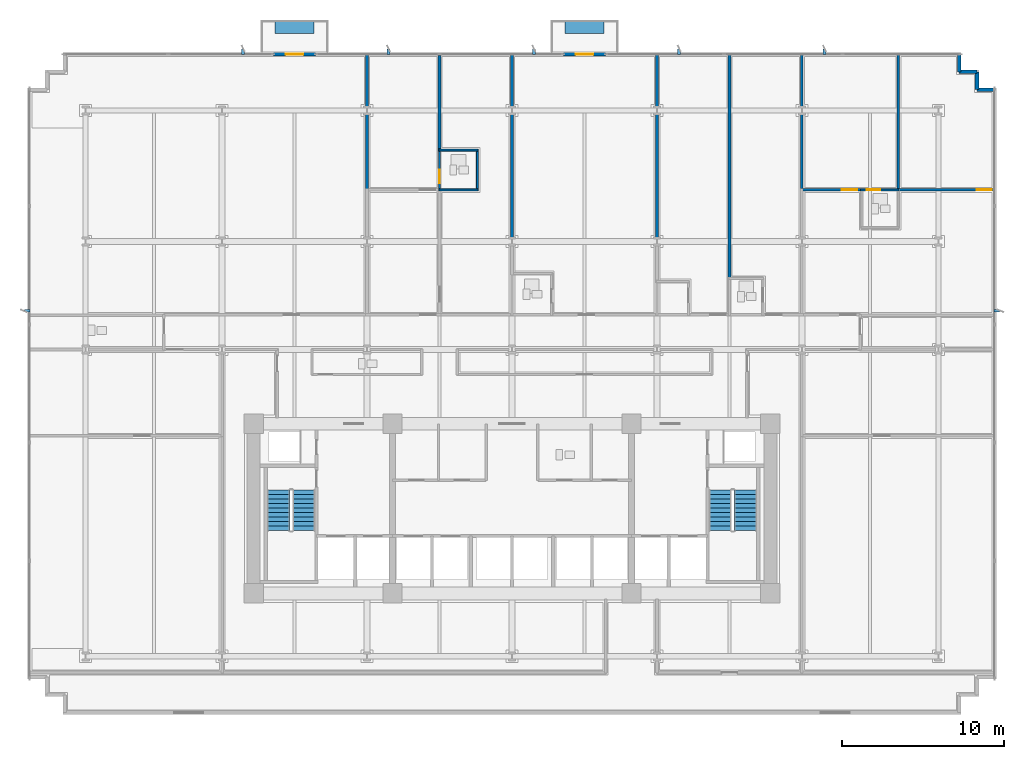
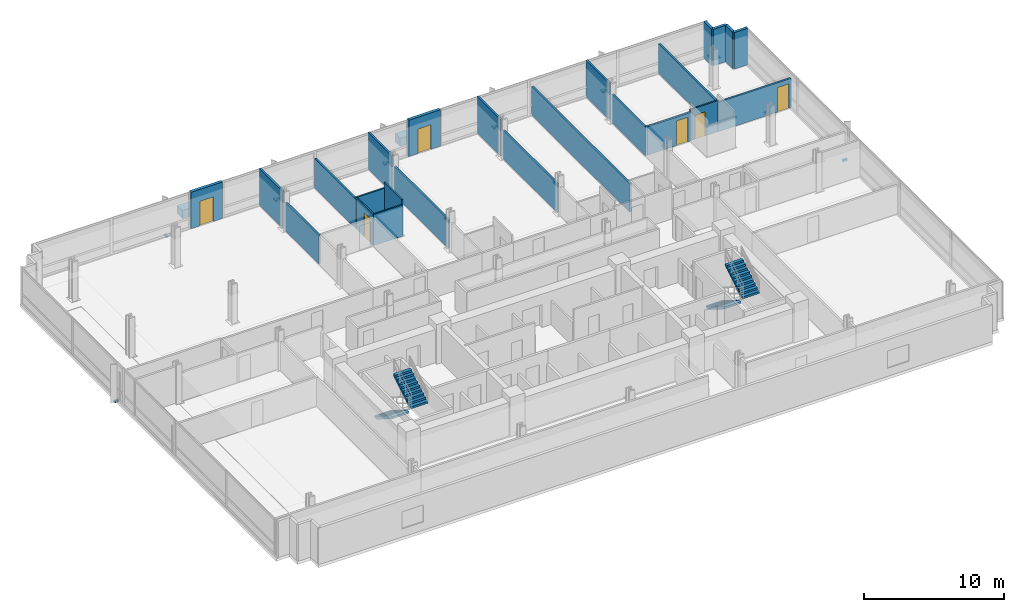
# One storey, part 11 of 17: 24 walls, 9 discrete accessories, 6 doors, 4 stair flights, 6 openings, 2 elements without a shape of their own.
"""IFC4 building model written with IfcOpenShell, lengths in metres."""

from ifc_helpers import new_model, si_unit, direction, frame, frame_2d, origin, origin_2d, place, context, subcontext, project, spatial, polyline, rectangle, outline, extrude, material, layer, layer_set, type_object, element, fill, aggregate, save


model = new_model("IFC4")

# Units and contexts
model_context = context("Model", 3, precision=1e-05, world=origin(), true_north=direction((0.0, 1.0)))
body_context = subcontext(model_context, "Body", "Model", "MODEL_VIEW")
ifc_project = project(units=[si_unit("LENGTHUNIT", "METRE"), si_unit("AREAUNIT", "SQUARE_METRE"), si_unit("VOLUMEUNIT", "CUBIC_METRE"), si_unit("PLANEANGLEUNIT", "RADIAN"), si_unit("MASSUNIT", "GRAM", prefix="KILO")], contexts=[model_context])

# Site, building, storey
site_placement = place(None, origin())
site = spatial("IfcSite", under=ifc_project, at=site_placement, CompositionType="ELEMENT")
building_placement = place(site_placement, origin())
building = spatial("IfcBuilding", under=site, at=building_placement, Name="Solmavex Isthmus Hotel", CompositionType="ELEMENT")
storey_placement = place(building_placement, frame((0.0, 0.0, 47.10009765625)))
storey = spatial("IfcBuildingStorey", under=building, at=storey_placement, Name="L12", CompositionType="ELEMENT", Elevation=47.10009765625)

# Wall, opening, door
ifc_material_1 = material(Name="Precast Concrete C40/50", Category="concrete")
ifc_layer_1 = layer(ifc_material_1, 0.25)
ifc_layer_set_1 = layer_set([ifc_layer_1], Name="Precast Concrete C40/50")
wall_type_1 = type_object("IfcWallType", Name="EW-TWR-250", PredefinedType="STANDARD", material=ifc_layer_set_1)
wall_1_placement = place(storey_placement, frame((-14.763916015625, 20.3798828125, 0.0), z_axis=(0.0, 0.0, 1.0), x_axis=(1.0, 0.0, 0.0)))
wall_1 = element("IfcWall", 1, at=wall_1_placement, inside=storey, type_object=wall_type_1, Name="Exterior Balcony Door Wall L12-2", PredefinedType="STANDARD", context=body_context, shape_type="SweptSolid", body=[
    extrude(rectangle(XDim=2.599853515625, YDim=0.239990234375, at=frame_2d((1.2998046875, 0.0))), origin(), (0.0, 0.0, 1.0), 3.18994140625),
])
opening_1_placement = place(wall_1_placement, frame((0.75, 0.0, 0.0)))
opening_1 = element("IfcOpeningElement", 2, at=opening_1_placement, cuts=wall_1, Name="Opening ED-02", PredefinedType="OPENING", context=body_context, shape_type="SweptSolid", body=[
    extrude(rectangle(XDim=1.10009765625, YDim=2.14990234375, at=frame_2d((0.550048828125, 1.074951171875))), frame((0.0, 0.1298828125, 0.0), z_axis=(0.0, -1.0, 0.0), x_axis=(1.0, 0.0, 0.0)), (0.0, 0.0, 1.0), 0.260009765625),
])
ifc_material_2 = material(Name="Aluminium alloy 6063-T6", Category="aluminium")
door_type_1 = type_object("IfcDoorType", Name="EDR-BALC-1100", OperationType="NOTDEFINED", PredefinedType="DOOR", material=ifc_material_2)
door_1_placement = place(opening_1_placement, origin())
door_1 = element("IfcDoor", 3, at=door_1_placement, inside=storey, type_object=door_type_1, Name="Balcony & Terrace Glazed Door L12-2", OperationType="SINGLE_SWING_RIGHT", OverallHeight=2.14990234375, OverallWidth=1.10009765625, PredefinedType="DOOR", context=body_context, shape_type="SweptSolid", body=[
    extrude(rectangle(XDim=1.10009765625, YDim=2.14990234375, at=frame_2d((0.550048828125, 1.074951171875))), frame((0.0, 0.02490234375, 0.0), z_axis=(0.0, -1.0, 0.0), x_axis=(1.0, 0.0, 0.0)), (0.0, 0.0, 1.0), 0.050048828125),
])
fill(opening_1, door_1)

wall_2_placement = place(storey_placement, frame((3.18798828125, 20.3798828125, 0.0), z_axis=(0.0, 0.0, 1.0), x_axis=(1.0, 0.0, 0.0)))
wall_2 = element("IfcWall", 4, at=wall_2_placement, inside=storey, type_object=wall_type_1, Name="Exterior Balcony Door Wall L12-3", PredefinedType="STANDARD", context=body_context, shape_type="SweptSolid", body=[
    extrude(rectangle(XDim=2.60009765625, YDim=0.239990234375, at=frame_2d((1.300048828125, 0.0))), origin(), (0.0, 0.0, 1.0), 3.18994140625),
])
opening_2_placement = place(wall_2_placement, frame((0.75, 0.0, 0.0)))
opening_2 = element("IfcOpeningElement", 5, at=opening_2_placement, cuts=wall_2, Name="Opening ED-02", PredefinedType="OPENING", context=body_context, shape_type="SweptSolid", body=[
    extrude(rectangle(XDim=1.10009765625, YDim=2.14990234375, at=frame_2d((0.550048828125, 1.074951171875))), frame((0.0, 0.1298828125, 0.0), z_axis=(0.0, -1.0, 0.0), x_axis=(1.0, 0.0, 0.0)), (0.0, 0.0, 1.0), 0.260009765625),
])
door_2_placement = place(opening_2_placement, origin())
door_2 = element("IfcDoor", 6, at=door_2_placement, inside=storey, type_object=door_type_1, Name="Balcony & Terrace Glazed Door L12-3", OperationType="SINGLE_SWING_LEFT", OverallHeight=2.14990234375, OverallWidth=1.10009765625, PredefinedType="DOOR", context=body_context, shape_type="SweptSolid", body=[
    extrude(rectangle(XDim=1.10009765625, YDim=2.14990234375, at=frame_2d((0.550048828125, 1.074951171875))), frame((0.0, 0.02490234375, 0.0), z_axis=(0.0, -1.0, 0.0), x_axis=(1.0, 0.0, 0.0)), (0.0, 0.0, 1.0), 0.050048828125),
])
fill(opening_2, door_2)

# Walls
wall_3_placement = place(storey_placement, frame((27.68994140625, 20.389892578125, 0.0), z_axis=(0.0, 0.0, 1.0), x_axis=(0.0, -1.0, 0.0)))
element("IfcWall", 7, at=wall_3_placement, inside=storey, type_object=wall_type_1, Name="Serrated Corner Facade Panel L12-11", PredefinedType="STANDARD", context=body_context, shape_type="SweptSolid", body=[
    extrude(rectangle(XDim=1.099853515625, YDim=0.219970703125, at=frame_2d((0.5498046875, 0.0))), origin(), (0.0, 0.0, 1.0), 3.18994140625),
])
for number, where, z_axis, x_axis, name in (
    (8, (27.68994140625, 19.2900390625, 0.0), (0.0, 0.0, 1.0), (1.0, 0.0, 0.0), "Serrated Corner Facade Panel L12-12"),
    (9, (28.7900390625, 19.2900390625, 0.0), (0.0, 0.0, 1.0), (0.0, -1.0, 0.0), "Serrated Corner Facade Panel L12-13"),
):
    element("IfcWall", number, at=place(storey_placement, frame(where, z_axis=z_axis, x_axis=x_axis)), inside=storey, type_object=wall_type_1, Name=name, PredefinedType="STANDARD", context=body_context, shape_type="SweptSolid", body=[
        extrude(rectangle(XDim=1.10009765625, YDim=0.219970703125, at=frame_2d((0.550048828125, 0.0))), origin(), (0.0, 0.0, 1.0), 3.18994140625),
    ])
wall_4_placement = place(storey_placement, frame((28.7900390625, 18.18994140625, 0.0), z_axis=(0.0, 0.0, 1.0), x_axis=(1.0, 0.0, 0.0)))
element("IfcWall", 10, at=wall_4_placement, inside=storey, type_object=wall_type_1, Name="Serrated Corner Facade Panel L12-14", PredefinedType="STANDARD", context=body_context, shape_type="SweptSolid", body=[
    extrude(rectangle(XDim=1.099853515625, YDim=0.219970703125, at=frame_2d((0.5498046875, 0.0))), origin(), (0.0, 0.0, 1.0), 3.18994140625),
])
ifc_material_3 = material(Name="Gypsum plasterboard lining", Category="gypsum")
ifc_layer_2 = layer(ifc_material_3, 0.159912109375)
ifc_layer_set_2 = layer_set([ifc_layer_2], Name="Gypsum plasterboard lining")
wall_type_2 = type_object("IfcWallType", Name="IW-COMP-160", PredefinedType="PARTITIONING", material=ifc_layer_set_2)
wall_5_placement = place(storey_placement, frame((-8.97607421875, 16.72509765625, 0.0), z_axis=(0.0, 0.0, 1.0), x_axis=(0.0, -1.0, 0.0)))
element("IfcWall", 11, at=wall_5_placement, inside=storey, type_object=wall_type_2, Name="Interior Partition Wall W-L12-P035", PredefinedType="PARTITIONING", context=body_context, shape_type="SweptSolid", body=[
    extrude(rectangle(XDim=4.819091796875, YDim=0.159912109375, at=frame_2d((2.40966796875, 0.0))), origin(), (0.0, 0.0, 1.0), 2.4794921875),
])
wall_6_placement = place(storey_placement, frame((-8.97607421875, 20.419921875, 0.0), z_axis=(0.0, 0.0, 1.0), x_axis=(0.0, -1.0, 0.0)))
element("IfcWall", 12, at=wall_6_placement, inside=storey, type_object=wall_type_2, Name="Interior Partition Wall W-L12-P036", PredefinedType="PARTITIONING", context=body_context, shape_type="SweptSolid", body=[
    extrude(rectangle(XDim=3.344970703125, YDim=0.159912109375, at=frame_2d((1.67236328125, 0.0))), origin(), (0.0, 0.0, 1.0), 3.18994140625),
])
wall_7_placement = place(storey_placement, frame((-4.488037109375, 20.300048828125, 0.0), z_axis=(0.0, 0.0, 1.0), x_axis=(0.0, -1.0, 0.0)))
element("IfcWall", 13, at=wall_7_placement, inside=storey, type_object=wall_type_2, Name="Interior Partition Wall W-L12-P040", PredefinedType="PARTITIONING", context=body_context, shape_type="SweptSolid", body=[
    extrude(rectangle(XDim=5.944091796875, YDim=0.159912109375, at=frame_2d((2.97216796875, 0.0))), origin(), (0.0, 0.0, 1.0), 2.55322265625),
])
wall_8_placement = place(storey_placement, frame((0.0, 16.72509765625, 0.0), z_axis=(0.0, 0.0, 1.0), x_axis=(0.0, -1.0, 0.0)))
element("IfcWall", 14, at=wall_8_placement, inside=storey, type_object=wall_type_2, Name="Interior Partition Wall W-L12-P046", PredefinedType="PARTITIONING", context=body_context, shape_type="SweptSolid", body=[
    extrude(rectangle(XDim=7.76220703125, YDim=0.159912109375, at=frame_2d((3.881103515625, 0.0))), origin(), (0.0, 0.0, 1.0), 2.4794921875),
])
wall_9_placement = place(storey_placement, frame((0.0, 20.419921875, 0.0), z_axis=(0.0, 0.0, 1.0), x_axis=(0.0, -1.0, 0.0)))
element("IfcWall", 15, at=wall_9_placement, inside=storey, type_object=wall_type_2, Name="Interior Partition Wall W-L12-P047", PredefinedType="PARTITIONING", context=body_context, shape_type="SweptSolid", body=[
    extrude(rectangle(XDim=3.344970703125, YDim=0.159912109375, at=frame_2d((1.67236328125, 0.0))), origin(), (0.0, 0.0, 1.0), 3.18994140625),
])
wall_10_placement = place(storey_placement, frame((8.97607421875, 16.72509765625, 0.0), z_axis=(0.0, 0.0, 1.0), x_axis=(0.0, -1.0, 0.0)))
element("IfcWall", 16, at=wall_10_placement, inside=storey, type_object=wall_type_2, Name="Interior Partition Wall W-L12-P052", PredefinedType="PARTITIONING", context=body_context, shape_type="SweptSolid", body=[
    extrude(rectangle(XDim=7.76220703125, YDim=0.159912109375, at=frame_2d((3.881103515625, 0.0))), origin(), (0.0, 0.0, 1.0), 2.4794921875),
])
wall_11_placement = place(storey_placement, frame((8.97607421875, 20.419921875, 0.0), z_axis=(0.0, 0.0, 1.0), x_axis=(0.0, -1.0, 0.0)))
element("IfcWall", 17, at=wall_11_placement, inside=storey, type_object=wall_type_2, Name="Interior Partition Wall W-L12-P053", PredefinedType="PARTITIONING", context=body_context, shape_type="SweptSolid", body=[
    extrude(rectangle(XDim=3.344970703125, YDim=0.159912109375, at=frame_2d((1.67236328125, 0.0))), origin(), (0.0, 0.0, 1.0), 3.18994140625),
])
wall_12_placement = place(storey_placement, frame((13.464111328125, 20.419921875, 0.0), z_axis=(0.0, 0.0, 1.0), x_axis=(0.0, -1.0, 0.0)))
element("IfcWall", 18, at=wall_12_placement, inside=storey, type_object=wall_type_2, Name="Interior Partition Wall W-L12-P057", PredefinedType="PARTITIONING", context=body_context, shape_type="SweptSolid", body=[
    extrude(rectangle(XDim=14.001953125, YDim=0.159912109375, at=frame_2d((7.0009765625, 0.0))), origin(), (0.0, 0.0, 1.0), 2.4794921875),
])
wall_13_placement = place(storey_placement, frame((17.951904296875, 16.72509765625, 0.0), z_axis=(0.0, 0.0, 1.0), x_axis=(0.0, -1.0, 0.0)))
element("IfcWall", 19, at=wall_13_placement, inside=storey, type_object=wall_type_2, Name="Interior Partition Wall W-L12-P063", PredefinedType="PARTITIONING", context=body_context, shape_type="SweptSolid", body=[
    extrude(rectangle(XDim=4.819091796875, YDim=0.159912109375, at=frame_2d((2.40966796875, 0.0))), origin(), (0.0, 0.0, 1.0), 2.4794921875),
])
wall_14_placement = place(storey_placement, frame((17.951904296875, 20.419921875, 0.0), z_axis=(0.0, 0.0, 1.0), x_axis=(0.0, -1.0, 0.0)))
element("IfcWall", 20, at=wall_14_placement, inside=storey, type_object=wall_type_2, Name="Interior Partition Wall W-L12-P064", PredefinedType="PARTITIONING", context=body_context, shape_type="SweptSolid", body=[
    extrude(rectangle(XDim=3.344970703125, YDim=0.159912109375, at=frame_2d((1.67236328125, 0.0))), origin(), (0.0, 0.0, 1.0), 3.18994140625),
])

# Wall, opening, door
wall_15_placement = place(storey_placement, frame((17.912109375, 11.988037109375, 0.0), z_axis=(0.0, 0.0, 1.0), x_axis=(1.0, 0.0, 0.0)))
wall_15 = element("IfcWall", 21, at=wall_15_placement, inside=storey, type_object=wall_type_2, Name="Interior Partition Wall W-L12-P065", PredefinedType="PARTITIONING", context=body_context, shape_type="SweptSolid", body=[
    extrude(rectangle(XDim=3.7939453125, YDim=0.159912109375, at=frame_2d((1.89697265625, 0.0))), origin(), (0.0, 0.0, 1.0), 2.4794921875),
])
opening_3_placement = place(wall_15_placement, frame((2.513916015625, 0.0, 0.0)))
opening_3 = element("IfcOpeningElement", 22, at=opening_3_placement, cuts=wall_15, Name="Opening ID-C095", PredefinedType="OPENING", context=body_context, shape_type="SweptSolid", body=[
    extrude(rectangle(XDim=0.949951171875, YDim=2.14990234375, at=frame_2d((0.47509765625, 1.074951171875))), frame((0.0, 0.08984375, 0.0), z_axis=(0.0, -1.0, 0.0), x_axis=(1.0, 0.0, 0.0)), (0.0, 0.0, 1.0), 0.179931640625),
])
ifc_material_4 = material(Name="Hardwood timber", Category="wood")
door_type_2 = type_object("IfcDoorType", Name="IDR-FD60-0950", OperationType="NOTDEFINED", PredefinedType="DOOR", material=ifc_material_4)
door_3_placement = place(opening_3_placement, origin())
door_3 = element("IfcDoor", 23, at=door_3_placement, inside=storey, type_object=door_type_2, Name="Corner Diplomatic Suite Bedroom Door L12-13", OperationType="SINGLE_SWING_LEFT", OverallHeight=2.14990234375, OverallWidth=0.949951171875, PredefinedType="DOOR", context=body_context, shape_type="SweptSolid", body=[
    extrude(rectangle(XDim=0.949951171875, YDim=2.14990234375, at=frame_2d((0.47509765625, 1.074951171875))), frame((0.0, 0.02490234375, 0.0), z_axis=(0.0, -1.0, 0.0), x_axis=(1.0, 0.0, 0.0)), (0.0, 0.0, 1.0), 0.050048828125),
])
fill(opening_3, door_3)

wall_16_placement = place(storey_placement, frame((23.8759765625, 11.988037109375, 0.0), z_axis=(0.0, 0.0, 1.0), x_axis=(1.0, 0.0, 0.0)))
wall_16 = element("IfcWall", 24, at=wall_16_placement, inside=storey, type_object=wall_type_2, Name="Interior Partition Wall W-L12-P066", PredefinedType="PARTITIONING", context=body_context, shape_type="SweptSolid", body=[
    extrude(rectangle(XDim=6.0439453125, YDim=0.159912109375, at=frame_2d((3.02197265625, 0.0))), origin(), (0.0, 0.0, 1.0), 2.55322265625),
])
opening_4_placement = place(wall_16_placement, frame((4.884033203125, 0.0, 0.0)))
opening_4 = element("IfcOpeningElement", 25, at=opening_4_placement, cuts=wall_16, Name="Opening ID-C095", PredefinedType="OPENING", context=body_context, shape_type="SweptSolid", body=[
    extrude(rectangle(XDim=0.949951171875, YDim=2.14990234375, at=frame_2d((0.47509765625, 1.074951171875))), frame((0.0, 0.08984375, 0.0), z_axis=(0.0, -1.0, 0.0), x_axis=(1.0, 0.0, 0.0)), (0.0, 0.0, 1.0), 0.179931640625),
])
door_4_placement = place(opening_4_placement, origin())
door_4 = element("IfcDoor", 26, at=door_4_placement, inside=storey, type_object=door_type_2, Name="Corner Diplomatic Suite Sitting Lounge Door L12-14", OperationType="SINGLE_SWING_RIGHT", OverallHeight=2.14990234375, OverallWidth=0.949951171875, PredefinedType="DOOR", context=body_context, shape_type="SweptSolid", body=[
    extrude(rectangle(XDim=0.949951171875, YDim=2.14990234375, at=frame_2d((0.47509765625, 1.074951171875))), frame((0.0, 0.02490234375, 0.0), z_axis=(0.0, -1.0, 0.0), x_axis=(1.0, 0.0, 0.0)), (0.0, 0.0, 1.0), 0.050048828125),
])
fill(opening_4, door_4)

# Wall
wall_17_placement = place(storey_placement, frame((23.916015625, 20.419921875, 0.0), z_axis=(0.0, 0.0, 1.0), x_axis=(0.0, -1.0, 0.0)))
element("IfcWall", 27, at=wall_17_placement, inside=storey, type_object=wall_type_2, Name="Interior Partition Wall W-L12-P071", PredefinedType="PARTITIONING", context=body_context, shape_type="SweptSolid", body=[
    extrude(rectangle(XDim=8.471923828125, YDim=0.159912109375, at=frame_2d((4.23583984375, 0.0))), origin(), (0.0, 0.0, 1.0), 2.55322265625),
])

# Wall, opening, door
ifc_layer_3 = layer(ifc_material_3, 0.1201171875)
ifc_layer_set_3 = layer_set([ifc_layer_3], Name="Gypsum plasterboard lining")
wall_type_3 = type_object("IfcWallType", Name="IW-PART-120", PredefinedType="PARTITIONING", material=ifc_layer_set_3)
wall_18_placement = place(storey_placement, frame((-4.488037109375, 14.52001953125, 0.0), z_axis=(0.0, 0.0, 1.0), x_axis=(0.0, -1.0, 0.0)))
wall_18 = element("IfcWall", 28, at=wall_18_placement, inside=storey, type_object=wall_type_3, Name="Interior Partition Wall W-L12-P041", PredefinedType="PARTITIONING", context=body_context, shape_type="SweptSolid", body=[
    extrude(rectangle(XDim=2.572021484375, YDim=0.1201171875, at=frame_2d((1.2861328125, 0.0))), origin(), (0.0, 0.0, 1.0), 2.718017578125),
])
opening_5_placement = place(wall_18_placement, frame((1.27978515625, 0.0, 0.0)))
opening_5 = element("IfcOpeningElement", 29, at=opening_5_placement, cuts=wall_18, Name="Opening ID-U085", PredefinedType="OPENING", context=body_context, shape_type="SweptSolid", body=[
    extrude(rectangle(XDim=0.85009765625, YDim=2.10009765625, at=frame_2d((0.425048828125, 1.050048828125))), frame((0.0, 0.070068359375, 0.0), z_axis=(0.0, -1.0, 0.0), x_axis=(1.0, 0.0, 0.0)), (0.0, 0.0, 1.0), 0.14013671875),
])
door_type_3 = type_object("IfcDoorType", Name="IDR-UNR-0850", OperationType="NOTDEFINED", PredefinedType="DOOR", material=ifc_material_4)
door_5_placement = place(opening_5_placement, origin())
door_5 = element("IfcDoor", 30, at=door_5_placement, inside=storey, type_object=door_type_3, Name="En-suite Bathroom Door L12-05", OperationType="SINGLE_SWING_LEFT", OverallHeight=2.10009765625, OverallWidth=0.85009765625, PredefinedType="DOOR", context=body_context, shape_type="SweptSolid", body=[
    extrude(rectangle(XDim=0.85009765625, YDim=2.10009765625, at=frame_2d((0.425048828125, 1.050048828125))), frame((0.0, 0.02490234375, 0.0), z_axis=(0.0, -1.0, 0.0), x_axis=(1.0, 0.0, 0.0)), (0.0, 0.0, 1.0), 0.050048828125),
])
fill(opening_5, door_5)

# Walls
wall_19_placement = place(storey_placement, frame((-4.528076171875, 11.988037109375, 0.0), z_axis=(0.0, 0.0, 1.0), x_axis=(1.0, 0.0, 0.0)))
element("IfcWall", 31, at=wall_19_placement, inside=storey, type_object=wall_type_3, Name="Interior Partition Wall W-L12-P042", PredefinedType="PARTITIONING", context=body_context, shape_type="SweptSolid", body=[
    extrude(rectangle(XDim=2.43017578125, YDim=0.1201171875, at=frame_2d((1.215087890625, 0.0))), origin(), (0.0, 0.0, 1.0), 2.718017578125),
])
wall_20_placement = place(storey_placement, frame((-2.137939453125, 11.947998046875, 0.0), z_axis=(0.0, 0.0, 1.0), x_axis=(0.0, 1.0, 0.0)))
element("IfcWall", 32, at=wall_20_placement, inside=storey, type_object=wall_type_3, Name="Interior Partition Wall W-L12-P043", PredefinedType="PARTITIONING", context=body_context, shape_type="SweptSolid", body=[
    extrude(rectangle(XDim=2.530029296875, YDim=0.1201171875, at=frame_2d((1.26513671875, 0.0))), origin(), (0.0, 0.0, 1.0), 3.18994140625),
])
wall_21_placement = place(storey_placement, frame((-2.097900390625, 14.43798828125, 0.0), z_axis=(0.0, 0.0, 1.0), x_axis=(-1.0, 0.0, 0.0)))
element("IfcWall", 33, at=wall_21_placement, inside=storey, type_object=wall_type_3, Name="Interior Partition Wall W-L12-P044", PredefinedType="PARTITIONING", context=body_context, shape_type="SweptSolid", body=[
    extrude(rectangle(XDim=2.43017578125, YDim=0.1201171875, at=frame_2d((1.215087890625, 0.0))), origin(), (0.0, 0.0, 1.0), 2.718017578125),
])

# Wall, opening, door
wall_22_placement = place(storey_placement, frame((23.9560546875, 11.988037109375, 0.0), z_axis=(0.0, 0.0, 1.0), x_axis=(-1.0, 0.0, 0.0)))
wall_22 = element("IfcWall", 34, at=wall_22_placement, inside=storey, type_object=wall_type_3, Name="Interior Partition Wall W-L12-P072", PredefinedType="PARTITIONING", context=body_context, shape_type="SweptSolid", body=[
    extrude(rectangle(XDim=2.3720703125, YDim=0.1201171875, at=frame_2d((1.18603515625, 0.0))), origin(), (0.0, 0.0, 1.0), 2.718017578125),
])
opening_6_placement = place(wall_22_placement, frame((1.14599609375, 0.0, 0.0)))
opening_6 = element("IfcOpeningElement", 35, at=opening_6_placement, cuts=wall_22, Name="Opening ID-U085", PredefinedType="OPENING", context=body_context, shape_type="SweptSolid", body=[
    extrude(rectangle(XDim=0.85009765625, YDim=2.10009765625, at=frame_2d((0.425048828125, 1.050048828125))), frame((0.0, 0.070068359375, 0.0), z_axis=(0.0, -1.0, 0.0), x_axis=(1.0, 0.0, 0.0)), (0.0, 0.0, 1.0), 0.14013671875),
])
door_6_placement = place(opening_6_placement, frame((0.85009765625, 0.0, 0.0), z_axis=(0.0, 0.0, 1.0), x_axis=(-1.0, 0.0, 0.0)))
door_6 = element("IfcDoor", 36, at=door_6_placement, inside=storey, type_object=door_type_3, Name="En-suite Bathroom Door L12-15", OperationType="SINGLE_SWING_LEFT", OverallHeight=2.10009765625, OverallWidth=0.85009765625, PredefinedType="DOOR", context=body_context, shape_type="SweptSolid", body=[
    extrude(rectangle(XDim=0.85009765625, YDim=2.10009765625, at=frame_2d((0.425048828125, 1.050048828125))), frame((0.0, 0.02490234375, 0.0), z_axis=(0.0, -1.0, 0.0), x_axis=(1.0, 0.0, 0.0)), (0.0, 0.0, 1.0), 0.050048828125),
])
fill(opening_6, door_6)

# Stair, stair flights
ifc_material_5 = material(Name="Concrete C40/50", Category="concrete")
stair_type_1 = type_object("IfcStairType", Name="STR-ST-1", PredefinedType="HALF_TURN_STAIR", material=ifc_material_5)
stair_1_placement = place(storey_placement, origin())
stair_1 = element("IfcStair", 37, at=stair_1_placement, inside=storey, type_object=stair_type_1, Name="L12 Protected Exit Stair ST-1", PredefinedType="HALF_TURN_STAIR")
stair_flight_type_1 = type_object("IfcStairFlightType", Name="SFL-ST-1", PredefinedType="STRAIGHT", material=ifc_material_5)
stair_flight_1_placement = place(storey_placement, frame((-14.449951171875, -6.60009765625, 0.0), z_axis=(0.0, 0.0, 1.0), x_axis=(0.0, -1.0, 0.0)))
stair_flight_1 = element("IfcStairFlight", 38, at=stair_flight_1_placement, type_object=stair_flight_type_1, Name="ST-1 flight 1", NumberOfRisers=10, NumberOfTreads=9, PredefinedType="STRAIGHT", RiserHeight=0.1725, TreadLength=0.28, context=body_context, shape_type="SweptSolid", body=[
    extrude(outline(polyline([(0.0, 0.0), (0.0, 0.172607421875), (0.280029296875, 0.172607421875), (0.280029296875, 0.344970703125), (0.56005859375, 0.344970703125), (0.56005859375, 0.517578125), (0.840087890625, 0.517578125), (0.840087890625, 0.68994140625), (1.1201171875, 0.68994140625), (1.1201171875, 0.862548828125), (1.39990234375, 0.862548828125), (1.39990234375, 1.034912109375), (1.679931640625, 1.034912109375), (1.679931640625, 1.20751953125), (1.9599609375, 1.20751953125), (1.9599609375, 1.3798828125), (2.239990234375, 1.3798828125), (2.239990234375, 1.552490234375), (2.52001953125, 1.552490234375), (2.52001953125, 1.72509765625), (2.52001953125, 1.37646484375), (0.285888671875, 0.0), (0.0, 0.0)])), frame((0.0, 0.699951171875, 0.0), z_axis=(0.0, -1.0, 0.0), x_axis=(1.0, 0.0, 0.0)), (0.0, 0.0, 1.0), 1.39990234375),
])
stair_flight_2_placement = place(storey_placement, frame((-12.89990234375, -9.1201171875, 1.724853515625), z_axis=(0.0, 0.0, 1.0), x_axis=(0.0, 1.0, 0.0)))
stair_flight_2 = element("IfcStairFlight", 39, at=stair_flight_2_placement, type_object=stair_flight_type_1, Name="ST-1 flight 2", NumberOfRisers=10, NumberOfTreads=9, PredefinedType="STRAIGHT", RiserHeight=0.1725, TreadLength=0.28, context=body_context, shape_type="SweptSolid", body=[
    extrude(outline(polyline([(0.0, 0.0), (0.0, 0.172607421875), (0.280029296875, 0.172607421875), (0.280029296875, 0.344970703125), (0.56005859375, 0.344970703125), (0.56005859375, 0.517578125), (0.840087890625, 0.517578125), (0.840087890625, 0.68994140625), (1.1201171875, 0.68994140625), (1.1201171875, 0.862548828125), (1.39990234375, 0.862548828125), (1.39990234375, 1.034912109375), (1.679931640625, 1.034912109375), (1.679931640625, 1.20751953125), (1.9599609375, 1.20751953125), (1.9599609375, 1.3798828125), (2.239990234375, 1.3798828125), (2.239990234375, 1.552490234375), (2.52001953125, 1.552490234375), (2.52001953125, 1.72509765625), (2.52001953125, 1.37646484375), (0.285888671875, 0.0), (0.0, 0.0)])), frame((0.0, 0.699951171875, 0.0), z_axis=(0.0, -1.0, 0.0), x_axis=(1.0, 0.0, 0.0)), (0.0, 0.0, 1.0), 1.39990234375),
])
aggregate(stair_1, [stair_flight_1, stair_flight_2])

stair_type_2 = type_object("IfcStairType", Name="STR-ST-2", PredefinedType="HALF_TURN_STAIR", material=ifc_material_5)
stair_2_placement = place(storey_placement, origin())
stair_2 = element("IfcStair", 40, at=stair_2_placement, inside=storey, type_object=stair_type_2, Name="L12 Protected Exit Stair ST-2", PredefinedType="HALF_TURN_STAIR")
stair_flight_type_2 = type_object("IfcStairFlightType", Name="SFL-ST-2", PredefinedType="STRAIGHT", material=ifc_material_5)
stair_flight_3_placement = place(storey_placement, frame((12.89990234375, -6.60009765625, 0.0), z_axis=(0.0, 0.0, 1.0), x_axis=(0.0, -1.0, 0.0)))
stair_flight_3 = element("IfcStairFlight", 41, at=stair_flight_3_placement, type_object=stair_flight_type_2, Name="ST-2 flight 1", NumberOfRisers=10, NumberOfTreads=9, PredefinedType="STRAIGHT", RiserHeight=0.1725, TreadLength=0.28, context=body_context, shape_type="SweptSolid", body=[
    extrude(outline(polyline([(0.0, 0.0), (0.0, 0.172607421875), (0.280029296875, 0.172607421875), (0.280029296875, 0.344970703125), (0.56005859375, 0.344970703125), (0.56005859375, 0.517578125), (0.840087890625, 0.517578125), (0.840087890625, 0.68994140625), (1.1201171875, 0.68994140625), (1.1201171875, 0.862548828125), (1.39990234375, 0.862548828125), (1.39990234375, 1.034912109375), (1.679931640625, 1.034912109375), (1.679931640625, 1.20751953125), (1.9599609375, 1.20751953125), (1.9599609375, 1.3798828125), (2.239990234375, 1.3798828125), (2.239990234375, 1.552490234375), (2.52001953125, 1.552490234375), (2.52001953125, 1.72509765625), (2.52001953125, 1.37646484375), (0.285888671875, 0.0), (0.0, 0.0)])), frame((0.0, 0.699951171875, 0.0), z_axis=(0.0, -1.0, 0.0), x_axis=(1.0, 0.0, 0.0)), (0.0, 0.0, 1.0), 1.39990234375),
])
stair_flight_4_placement = place(storey_placement, frame((14.449951171875, -9.1201171875, 1.724853515625), z_axis=(0.0, 0.0, 1.0), x_axis=(0.0, 1.0, 0.0)))
stair_flight_4 = element("IfcStairFlight", 42, at=stair_flight_4_placement, type_object=stair_flight_type_2, Name="ST-2 flight 2", NumberOfRisers=10, NumberOfTreads=9, PredefinedType="STRAIGHT", RiserHeight=0.1725, TreadLength=0.28, context=body_context, shape_type="SweptSolid", body=[
    extrude(outline(polyline([(0.0, 0.0), (0.0, 0.172607421875), (0.280029296875, 0.172607421875), (0.280029296875, 0.344970703125), (0.56005859375, 0.344970703125), (0.56005859375, 0.517578125), (0.840087890625, 0.517578125), (0.840087890625, 0.68994140625), (1.1201171875, 0.68994140625), (1.1201171875, 0.862548828125), (1.39990234375, 0.862548828125), (1.39990234375, 1.034912109375), (1.679931640625, 1.034912109375), (1.679931640625, 1.20751953125), (1.9599609375, 1.20751953125), (1.9599609375, 1.3798828125), (2.239990234375, 1.3798828125), (2.239990234375, 1.552490234375), (2.52001953125, 1.552490234375), (2.52001953125, 1.72509765625), (2.52001953125, 1.37646484375), (0.285888671875, 0.0), (0.0, 0.0)])), frame((0.0, 0.699951171875, 0.0), z_axis=(0.0, -1.0, 0.0), x_axis=(1.0, 0.0, 0.0)), (0.0, 0.0, 1.0), 1.39990234375),
])
aggregate(stair_2, [stair_flight_3, stair_flight_4])

# Discrete accessories
ifc_material_6 = material(Name="Steel ASTM A572 Grade 50", Category="steel")
discrete_accessory_type_1 = type_object("IfcDiscreteAccessoryType", Name="ACC-BRK-FIN", PredefinedType="BRACKET", material=ifc_material_6)
for number, where, z_axis, x_axis, name in (
    (43, (-16.64990234375, 20.52001953125, -0.169921875), (0.0, 0.0, 1.0), (0.0, 1.0, 0.0), "Facade Fin Support Bracket L12-N1"),
    (44, (-7.64990234375, 20.52001953125, -0.169921875), (0.0, 0.0, 1.0), (0.0, 1.0, 0.0), "Facade Fin Support Bracket L12-N2"),
    (45, (1.35009765625, 20.52001953125, -0.169921875), (0.0, 0.0, 1.0), (0.0, 1.0, 0.0), "Facade Fin Support Bracket L12-N3"),
    (46, (10.35009765625, 20.52001953125, -0.169921875), (0.0, 0.0, 1.0), (0.0, 1.0, 0.0), "Facade Fin Support Bracket L12-N4"),
    (47, (19.35009765625, 20.52001953125, -0.169921875), (0.0, 0.0, 1.0), (0.0, 1.0, 0.0), "Facade Fin Support Bracket L12-N5"),
    (48, (-30.02001953125, 4.5, -0.169921875), (0.0, 0.0, 1.0), (-1.0, 0.0, 0.0), "Facade Fin Support Bracket L12-W1"),
    (49, (30.02001953125, 4.5, -0.169921875), (0.0, 0.0, 1.0), (1.0, 0.0, 0.0), "Facade Fin Support Bracket L12-E1"),
):
    element("IfcDiscreteAccessory", number, at=place(storey_placement, frame(where, z_axis=z_axis, x_axis=x_axis)), inside=storey, type_object=discrete_accessory_type_1, Name=name, PredefinedType="BRACKET", context=body_context, shape_type="SweptSolid", body=[
        extrude(rectangle(XDim=0.340087890625, YDim=0.179931640625, at=origin_2d()), origin(), (0.0, 0.0, 1.0), 0.159912109375),
    ])
discrete_accessory_type_2 = type_object("IfcDiscreteAccessoryType", Name="ACC-PLN-BALC", PredefinedType="USERDEFINED", material=ifc_material_1)
for number, where, z_axis, x_axis, name in (
    (50, (-13.464111328125, 22.050048828125, 0.0), (0.0, 0.0, 1.0), (1.0, 0.0, 0.0), "Tree-Balcony Architectural Planter L12-B1"),
    (51, (4.488037109375, 22.050048828125, 0.0), (0.0, 0.0, 1.0), (1.0, 0.0, 0.0), "Tree-Balcony Architectural Planter L12-B2"),
):
    element("IfcDiscreteAccessory", number, at=place(storey_placement, frame(where, z_axis=z_axis, x_axis=x_axis)), inside=storey, type_object=discrete_accessory_type_2, Name=name, ObjectType="PLANTER", PredefinedType="USERDEFINED", context=body_context, shape_type="SweptSolid", body=[
        extrude(rectangle(XDim=2.39990234375, YDim=0.75, at=origin_2d()), origin(), (0.0, 0.0, 1.0), 0.699951171875),
    ])

save(model, "model.ifc")
